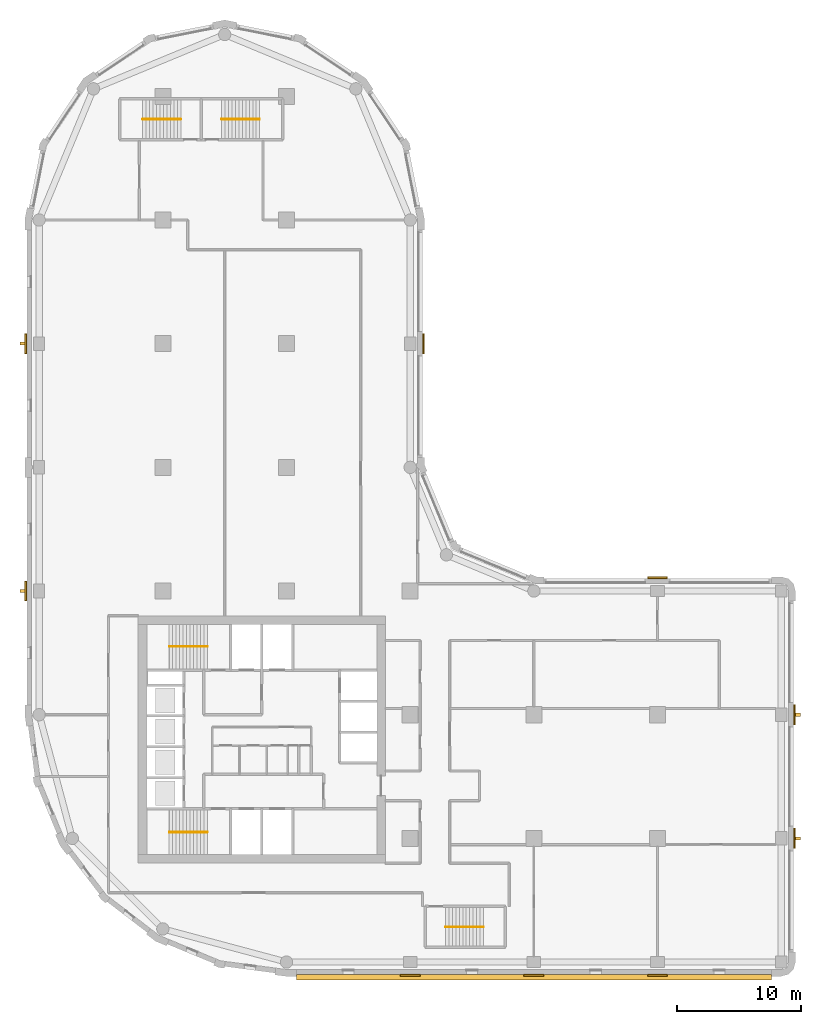
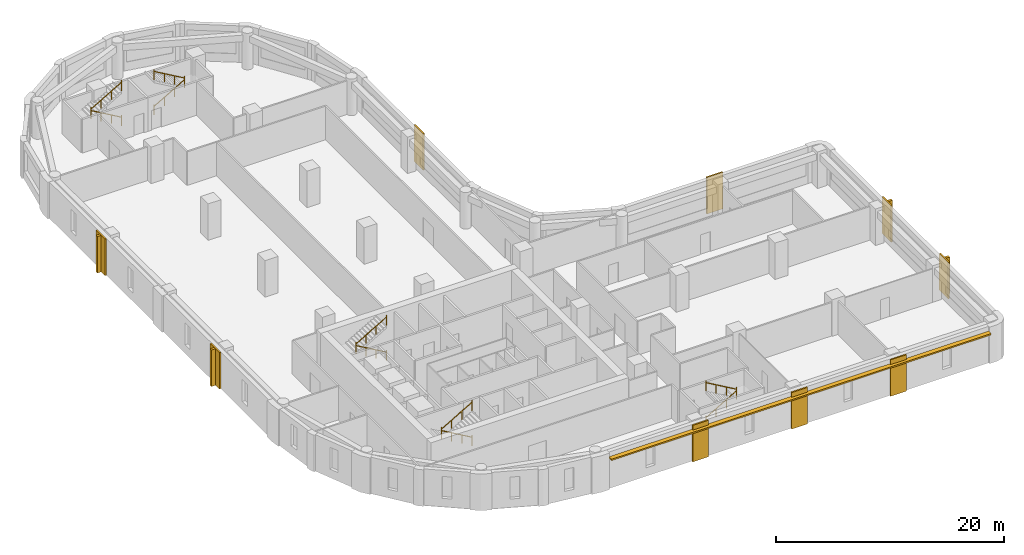
# One storey, part 8 of 9: 10 railings, 9 coverings, 5 shading devices.
"""IFC4 building model written with IfcOpenShell, lengths in metres."""

from ifc_helpers import new_model, si_unit, direction, frame, origin, origin_2d, place, context, subcontext, project, spatial, polyline, rectangle, circle, outline, extrude, material, layer, layer_set, type_object, element, save


model = new_model("IFC4")

# Units and contexts
model_context = context("Model", 3, precision=1e-05, world=origin(), true_north=direction((0.0, 1.0)))
body_context = subcontext(model_context, "Body", "Model", "MODEL_VIEW")
ifc_project = project(units=[si_unit("LENGTHUNIT", "METRE"), si_unit("AREAUNIT", "SQUARE_METRE"), si_unit("VOLUMEUNIT", "CUBIC_METRE"), si_unit("PLANEANGLEUNIT", "RADIAN"), si_unit("MASSUNIT", "GRAM", prefix="KILO")], contexts=[model_context])

# Site, building, storey
site_placement = place(None, origin())
site = spatial("IfcSite", under=ifc_project, at=site_placement, CompositionType="ELEMENT")
building_placement = place(site_placement, origin())
building = spatial("IfcBuilding", under=site, at=building_placement, Name="Qaws Garden Tower", CompositionType="ELEMENT")
storey_placement = place(building_placement, frame((0.0, 0.0, 221.39990234375)))
storey = spatial("IfcBuildingStorey", under=building, at=storey_placement, Name="L54", CompositionType="ELEMENT", Elevation=221.39990234375)

# Coverings
ifc_material_1 = material(Name="Clay facing brick masonry", Category="masonry")
ifc_layer_1 = layer(ifc_material_1, 0.14990234375)
ifc_layer_set_1 = layer_set([ifc_layer_1], Name="Clay facing brick masonry")
covering_type = type_object("IfcCoveringType", Name="Brick pilaster facing 150 x 1600", PredefinedType="CLADDING", material=ifc_layer_set_1)
placement = place(storey_placement, origin())
element("IfcCovering", 1, at=placement, inside=storey, type_object=covering_type, Name="E-L54-pier-01", PredefinedType="CLADDING", context=body_context, shape_type="SweptSolid", body=[
    extrude(outline(polyline([(29.199951171875, -1.0), (30.800048828125, -1.0), (30.800048828125, -1.14990234375), (29.199951171875, -1.14990234375), (29.199951171875, -1.0)])), origin(), (0.0, 0.0, 1.0), 3.900146484375),
])
element("IfcCovering", 2, at=placement, inside=storey, type_object=covering_type, Name="E-L54-pier-02", PredefinedType="CLADDING", context=body_context, shape_type="SweptSolid", body=[
    extrude(outline(polyline([(39.199951171875, -1.0), (40.800048828125, -1.0), (40.800048828125, -1.14990234375), (39.199951171875, -1.14990234375), (39.199951171875, -1.0)])), origin(), (0.0, 0.0, 1.0), 3.900146484375),
])
element("IfcCovering", 3, at=placement, inside=storey, type_object=covering_type, Name="E-L54-pier-03", PredefinedType="CLADDING", context=body_context, shape_type="SweptSolid", body=[
    extrude(outline(polyline([(49.199951171875, -1.0), (50.800048828125, -1.0), (50.800048828125, -1.14990234375), (49.199951171875, -1.14990234375), (49.199951171875, -1.0)])), origin(), (0.0, 0.0, 1.0), 3.900146484375),
])
element("IfcCovering", 4, at=placement, inside=storey, type_object=covering_type, Name="E-L54-pier-05", PredefinedType="CLADDING", context=body_context, shape_type="SweptSolid", body=[
    extrude(outline(polyline([(61.0, 9.199951171875), (61.0, 10.800048828125), (61.14990234375, 10.800048828125), (61.14990234375, 9.199951171875), (61.0, 9.199951171875)])), origin(), (0.0, 0.0, 1.0), 3.900146484375),
])
element("IfcCovering", 5, at=placement, inside=storey, type_object=covering_type, Name="E-L54-pier-06", PredefinedType="CLADDING", context=body_context, shape_type="SweptSolid", body=[
    extrude(outline(polyline([(61.0, 19.199951171875), (61.0, 20.800048828125), (61.14990234375, 20.800048828125), (61.14990234375, 19.199951171875), (61.0, 19.199951171875)])), origin(), (0.0, 0.0, 1.0), 3.900146484375),
])
element("IfcCovering", 6, at=placement, inside=storey, type_object=covering_type, Name="E-L54-pier-08", PredefinedType="CLADDING", context=body_context, shape_type="SweptSolid", body=[
    extrude(outline(polyline([(50.800048828125, 31.0), (49.199951171875, 31.0), (49.199951171875, 31.14990234375), (50.800048828125, 31.14990234375), (50.800048828125, 31.0)])), origin(), (0.0, 0.0, 1.0), 3.900146484375),
])
element("IfcCovering", 7, at=placement, inside=storey, type_object=covering_type, Name="E-L54-pier-12", PredefinedType="CLADDING", context=body_context, shape_type="SweptSolid", body=[
    extrude(outline(polyline([(31.0, 49.199951171875), (31.0, 50.800048828125), (31.14990234375, 50.800048828125), (31.14990234375, 49.199951171875), (31.0, 49.199951171875)])), origin(), (0.0, 0.0, 1.0), 3.900146484375),
])
element("IfcCovering", 8, at=placement, inside=storey, type_object=covering_type, Name="E-L54-pier-22", PredefinedType="CLADDING", context=body_context, shape_type="SweptSolid", body=[
    extrude(outline(polyline([(-1.0, 50.800048828125), (-1.0, 49.199951171875), (-1.14990234375, 49.199951171875), (-1.14990234375, 50.800048828125), (-1.0, 50.800048828125)])), origin(), (0.0, 0.0, 1.0), 3.900146484375),
])
element("IfcCovering", 9, at=placement, inside=storey, type_object=covering_type, Name="E-L54-pier-24", PredefinedType="CLADDING", context=body_context, shape_type="SweptSolid", body=[
    extrude(outline(polyline([(-1.0, 30.800048828125), (-1.0, 29.199951171875), (-1.14990234375, 29.199951171875), (-1.14990234375, 30.800048828125), (-1.0, 30.800048828125)])), origin(), (0.0, 0.0, 1.0), 3.900146484375),
])

# Shading devices
ifc_material_2 = material(Name="Clay facing brick masonry", Category="masonry")
ifc_layer_2 = layer(ifc_material_2, 0.14990234375)
ifc_layer_set_2 = layer_set([ifc_layer_2], Name="Clay facing brick masonry")
shading_device_type_1 = type_object("IfcShadingDeviceType", Name="Brick sunshade band 450 x 150", PredefinedType="JALOUSIE", material=ifc_layer_set_2)
shading_device_placement = place(storey_placement, frame((0.0, 0.0, 3.25)))
element("IfcShadingDevice", 10, at=shading_device_placement, inside=storey, type_object=shading_device_type_1, Name="SUNSHADE 00", PredefinedType="JALOUSIE", context=body_context, shape_type="SweptSolid", body=[
    extrude(outline(polyline([(20.800048828125, -1.0), (20.800048828125, -1.449951171875), (59.199951171875, -1.449951171875), (59.199951171875, -1.0), (50.800048828125, -1.0), (50.800048828125, -1.14990234375), (49.199951171875, -1.14990234375), (49.199951171875, -1.0), (40.800048828125, -1.0), (40.800048828125, -1.14990234375), (39.199951171875, -1.14990234375), (39.199951171875, -1.0), (30.800048828125, -1.0), (30.800048828125, -1.14990234375), (29.199951171875, -1.14990234375), (29.199951171875, -1.0), (20.800048828125, -1.0)])), origin(), (0.0, 0.0, 1.0), 0.150146484375),
])
ifc_material_3 = material(Name="Clay facing brick masonry", Category="masonry")
ifc_layer_3 = layer(ifc_material_3, 0.25)
ifc_layer_set_3 = layer_set([ifc_layer_3], Name="Clay facing brick masonry")
shading_device_type_2 = type_object("IfcShadingDeviceType", Name="Brick-faced fin 250 x 400", PredefinedType="USERDEFINED", material=ifc_layer_set_3)
for number, where, z_axis, x_axis, name in (
    (11, (61.35009765625, 10.0, 0.000244140625), (0.0, 0.0, 1.0), (0.0, 1.0, 0.0), "FIN 05"),
    (12, (61.35009765625, 20.0, 0.000244140625), (0.0, 0.0, 1.0), (0.0, 1.0, 0.0), "FIN 06"),
    (13, (-1.35009765625, 50.0, 0.000244140625), (0.0, 0.0, 1.0), (0.0, -1.0, 0.0), "FIN 22"),
    (14, (-1.35009765625, 30.0, 0.000244140625), (0.0, 0.0, 1.0), (0.0, -1.0, 0.0), "FIN 24"),
):
    element("IfcShadingDevice", number, at=place(storey_placement, frame(where, z_axis=z_axis, x_axis=x_axis)), inside=storey, type_object=shading_device_type_2, Name=name, ObjectType="FIN", PredefinedType="USERDEFINED", context=body_context, shape_type="SweptSolid", body=[
        extrude(rectangle(XDim=0.25, YDim=0.39990234375, at=origin_2d()), origin(), (0.0, 0.0, 1.0), 3.89990234375),
    ])

# Railings
ifc_material_4 = material(Name="Steel S355", Category="steel")
railing_type = type_object("IfcRailingType", Name="Stair handrail 900", PredefinedType="HANDRAIL", material=ifc_material_4)
railing_1_placement = place(storey_placement, frame((13.60009765625, 10.5, 0.16259765625)))
element("IfcRailing", 15, at=railing_1_placement, inside=storey, type_object=railing_type, Name="Stair 1 handrail", PredefinedType="HANDRAIL", context=body_context, shape_type="SweptSolid", body=[
    extrude(circle(Radius=0.02392578125, at=origin_2d()), frame((0.0, 0.0, 0.8759765625), z_axis=(-0.864890721111, 0.0, 0.501960198159), x_axis=(0.0, -1.0, 0.0)), (0.0, 0.0, 1.0), 3.561279296875),
    extrude(circle(Radius=0.02099609375, at=origin_2d()), origin(), (0.0, 0.0, 1.0), 1.06201171875),
    extrude(circle(Radius=0.02099609375, at=origin_2d()), frame((-1.026611328125, 0.0, 0.595947265625)), (0.0, 0.0, 1.0), 0.851806640625),
    extrude(circle(Radius=0.02099609375, at=origin_2d()), frame((-2.053466796875, 0.0, 1.191650390625)), (0.0, 0.0, 1.0), 0.851806640625),
    extrude(circle(Radius=0.02099609375, at=origin_2d()), frame((-3.080078125, 0.0, 1.78759765625)), (0.0, 0.0, 1.0), 1.06201171875),
])
railing_2_placement = place(storey_placement, frame((10.52001953125, 10.5, 2.112548828125)))
element("IfcRailing", 16, at=railing_2_placement, inside=storey, type_object=railing_type, Name="Stair 1 handrail", PredefinedType="HANDRAIL", context=body_context, shape_type="SweptSolid", body=[
    extrude(circle(Radius=0.02392578125, at=origin_2d()), frame((0.0, 0.0, 0.8759765625), z_axis=(0.864890721111, 0.0, 0.501960198159), x_axis=(0.0, 1.0, 0.0)), (0.0, 0.0, 1.0), 3.561279296875),
    extrude(circle(Radius=0.02099609375, at=origin_2d()), origin(), (0.0, 0.0, 1.0), 1.06201171875),
    extrude(circle(Radius=0.02099609375, at=origin_2d()), frame((1.026611328125, 0.0, 0.595947265625)), (0.0, 0.0, 1.0), 0.851806640625),
    extrude(circle(Radius=0.02099609375, at=origin_2d()), frame((2.053466796875, 0.0, 1.191650390625)), (0.0, 0.0, 1.0), 0.851806640625),
    extrude(circle(Radius=0.02099609375, at=origin_2d()), frame((3.080078125, 0.0, 1.78759765625)), (0.0, 0.0, 1.0), 1.06201171875),
])
railing_3_placement = place(storey_placement, frame((13.60009765625, 25.5, 0.16259765625)))
element("IfcRailing", 17, at=railing_3_placement, inside=storey, type_object=railing_type, Name="Stair 4 handrail", PredefinedType="HANDRAIL", context=body_context, shape_type="SweptSolid", body=[
    extrude(circle(Radius=0.02392578125, at=origin_2d()), frame((0.0, 0.0, 0.8759765625), z_axis=(-0.864890721111, 0.0, 0.501960198159), x_axis=(0.0, -1.0, 0.0)), (0.0, 0.0, 1.0), 3.561279296875),
    extrude(circle(Radius=0.02099609375, at=origin_2d()), origin(), (0.0, 0.0, 1.0), 1.06201171875),
    extrude(circle(Radius=0.02099609375, at=origin_2d()), frame((-1.026611328125, 0.0, 0.595947265625)), (0.0, 0.0, 1.0), 0.851806640625),
    extrude(circle(Radius=0.02099609375, at=origin_2d()), frame((-2.053466796875, 0.0, 1.191650390625)), (0.0, 0.0, 1.0), 0.851806640625),
    extrude(circle(Radius=0.02099609375, at=origin_2d()), frame((-3.080078125, 0.0, 1.78759765625)), (0.0, 0.0, 1.0), 1.06201171875),
])
railing_4_placement = place(storey_placement, frame((10.52001953125, 25.5, 2.112548828125)))
element("IfcRailing", 18, at=railing_4_placement, inside=storey, type_object=railing_type, Name="Stair 4 handrail", PredefinedType="HANDRAIL", context=body_context, shape_type="SweptSolid", body=[
    extrude(circle(Radius=0.02392578125, at=origin_2d()), frame((0.0, 0.0, 0.8759765625), z_axis=(0.864890721111, 0.0, 0.501960198159), x_axis=(0.0, 1.0, 0.0)), (0.0, 0.0, 1.0), 3.561279296875),
    extrude(circle(Radius=0.02099609375, at=origin_2d()), origin(), (0.0, 0.0, 1.0), 1.06201171875),
    extrude(circle(Radius=0.02099609375, at=origin_2d()), frame((1.026611328125, 0.0, 0.595947265625)), (0.0, 0.0, 1.0), 0.851806640625),
    extrude(circle(Radius=0.02099609375, at=origin_2d()), frame((2.053466796875, 0.0, 1.191650390625)), (0.0, 0.0, 1.0), 0.851806640625),
    extrude(circle(Radius=0.02099609375, at=origin_2d()), frame((3.080078125, 0.0, 1.78759765625)), (0.0, 0.0, 1.0), 1.06201171875),
])
railing_5_placement = place(storey_placement, frame((32.85009765625, 2.85009765625, 0.16259765625)))
element("IfcRailing", 19, at=railing_5_placement, inside=storey, type_object=railing_type, Name="Stair 5 handrail", PredefinedType="HANDRAIL", context=body_context, shape_type="SweptSolid", body=[
    extrude(circle(Radius=0.02392578125, at=origin_2d()), frame((0.0, 0.0, 0.8759765625), z_axis=(0.864873446163, 0.0, 0.501989962173), x_axis=(0.0, 1.0, 0.0)), (0.0, 0.0, 1.0), 3.56103515625),
    extrude(circle(Radius=0.02099609375, at=origin_2d()), origin(), (0.0, 0.0, 1.0), 1.06201171875),
    extrude(circle(Radius=0.02099609375, at=origin_2d()), frame((1.026611328125, 0.0, 0.595947265625)), (0.0, 0.0, 1.0), 0.851806640625),
    extrude(circle(Radius=0.02099609375, at=origin_2d()), frame((2.05322265625, 0.0, 1.191650390625)), (0.0, 0.0, 1.0), 0.851806640625),
    extrude(circle(Radius=0.02099609375, at=origin_2d()), frame((3.079833984375, 0.0, 1.78759765625)), (0.0, 0.0, 1.0), 1.06201171875),
])
for number, where, name in (
    (20, (35.929931640625, 2.85009765625, 2.112548828125), "Stair 5 handrail"),
    (21, (11.449951171875, 68.14990234375, 0.16259765625), "Stair 6 handrail"),
):
    element("IfcRailing", number, at=place(storey_placement, frame(where)), inside=storey, type_object=railing_type, Name=name, PredefinedType="HANDRAIL", context=body_context, shape_type="SweptSolid", body=[
        extrude(circle(Radius=0.02392578125, at=origin_2d()), frame((0.0, 0.0, 0.8759765625), z_axis=(-0.864873446163, 0.0, 0.501989962173), x_axis=(0.0, -1.0, 0.0)), (0.0, 0.0, 1.0), 3.56103515625),
        extrude(circle(Radius=0.02099609375, at=origin_2d()), origin(), (0.0, 0.0, 1.0), 1.06201171875),
        extrude(circle(Radius=0.02099609375, at=origin_2d()), frame((-1.026611328125, 0.0, 0.595947265625)), (0.0, 0.0, 1.0), 0.851806640625),
        extrude(circle(Radius=0.02099609375, at=origin_2d()), frame((-2.05322265625, 0.0, 1.191650390625)), (0.0, 0.0, 1.0), 0.851806640625),
        extrude(circle(Radius=0.02099609375, at=origin_2d()), frame((-3.079833984375, 0.0, 1.78759765625)), (0.0, 0.0, 1.0), 1.06201171875),
    ])
railing_6_placement = place(storey_placement, frame((8.3701171875, 68.14990234375, 2.112548828125)))
element("IfcRailing", 22, at=railing_6_placement, inside=storey, type_object=railing_type, Name="Stair 6 handrail", PredefinedType="HANDRAIL", context=body_context, shape_type="SweptSolid", body=[
    extrude(circle(Radius=0.02392578125, at=origin_2d()), frame((0.0, 0.0, 0.8759765625), z_axis=(0.864873446163, 0.0, 0.501989962173), x_axis=(0.0, 1.0, 0.0)), (0.0, 0.0, 1.0), 3.56103515625),
    extrude(circle(Radius=0.02099609375, at=origin_2d()), origin(), (0.0, 0.0, 1.0), 1.06201171875),
    extrude(circle(Radius=0.02099609375, at=origin_2d()), frame((1.026611328125, 0.0, 0.595947265625)), (0.0, 0.0, 1.0), 0.851806640625),
    extrude(circle(Radius=0.02099609375, at=origin_2d()), frame((2.05322265625, 0.0, 1.191650390625)), (0.0, 0.0, 1.0), 0.851806640625),
    extrude(circle(Radius=0.02099609375, at=origin_2d()), frame((3.079833984375, 0.0, 1.78759765625)), (0.0, 0.0, 1.0), 1.06201171875),
])
railing_7_placement = place(storey_placement, frame((14.75, 68.14990234375, 0.16259765625)))
element("IfcRailing", 23, at=railing_7_placement, inside=storey, type_object=railing_type, Name="Stair 7 handrail", PredefinedType="HANDRAIL", context=body_context, shape_type="SweptSolid", body=[
    extrude(circle(Radius=0.02392578125, at=origin_2d()), frame((0.0, 0.0, 0.8759765625), z_axis=(0.864890721111, 0.0, 0.501960198159), x_axis=(0.0, 1.0, 0.0)), (0.0, 0.0, 1.0), 3.561279296875),
    extrude(circle(Radius=0.02099609375, at=origin_2d()), origin(), (0.0, 0.0, 1.0), 1.06201171875),
    extrude(circle(Radius=0.02099609375, at=origin_2d()), frame((1.026611328125, 0.0, 0.595947265625)), (0.0, 0.0, 1.0), 0.851806640625),
    extrude(circle(Radius=0.02099609375, at=origin_2d()), frame((2.053466796875, 0.0, 1.191650390625)), (0.0, 0.0, 1.0), 0.851806640625),
    extrude(circle(Radius=0.02099609375, at=origin_2d()), frame((3.080078125, 0.0, 1.78759765625)), (0.0, 0.0, 1.0), 1.06201171875),
])
railing_8_placement = place(storey_placement, frame((17.830078125, 68.14990234375, 2.112548828125)))
element("IfcRailing", 24, at=railing_8_placement, inside=storey, type_object=railing_type, Name="Stair 7 handrail", PredefinedType="HANDRAIL", context=body_context, shape_type="SweptSolid", body=[
    extrude(circle(Radius=0.02392578125, at=origin_2d()), frame((0.0, 0.0, 0.8759765625), z_axis=(-0.864890721111, 0.0, 0.501960198159), x_axis=(0.0, -1.0, 0.0)), (0.0, 0.0, 1.0), 3.561279296875),
    extrude(circle(Radius=0.02099609375, at=origin_2d()), origin(), (0.0, 0.0, 1.0), 1.06201171875),
    extrude(circle(Radius=0.02099609375, at=origin_2d()), frame((-1.026611328125, 0.0, 0.595947265625)), (0.0, 0.0, 1.0), 0.851806640625),
    extrude(circle(Radius=0.02099609375, at=origin_2d()), frame((-2.053466796875, 0.0, 1.191650390625)), (0.0, 0.0, 1.0), 0.851806640625),
    extrude(circle(Radius=0.02099609375, at=origin_2d()), frame((-3.080078125, 0.0, 1.78759765625)), (0.0, 0.0, 1.0), 1.06201171875),
])

save(model, "model.ifc")
